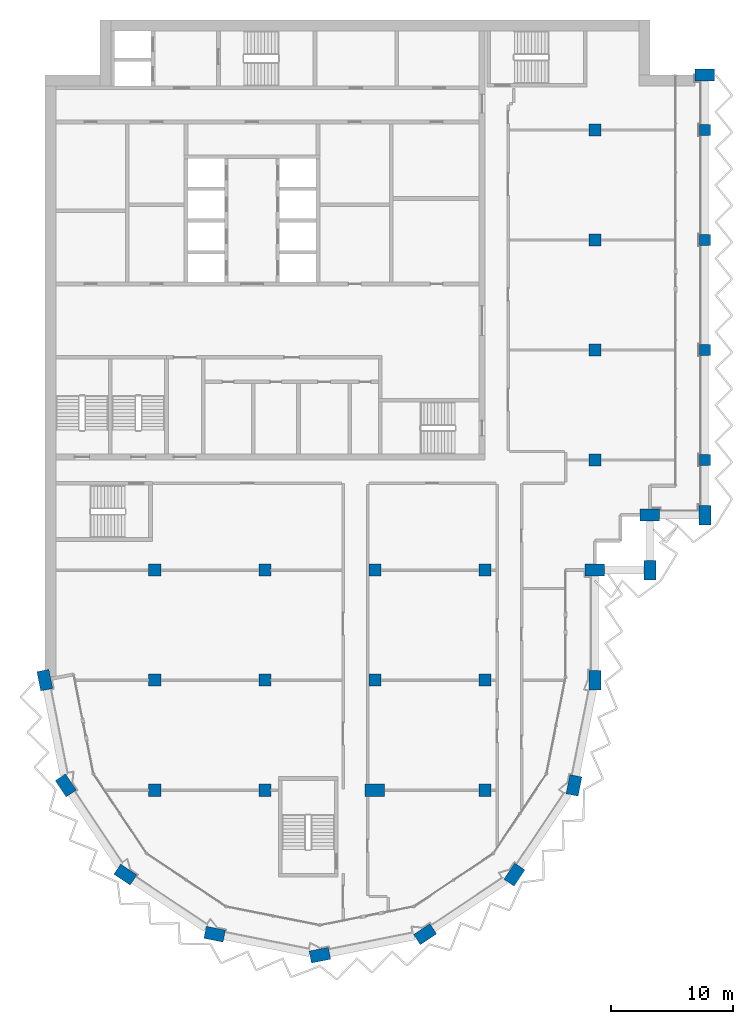
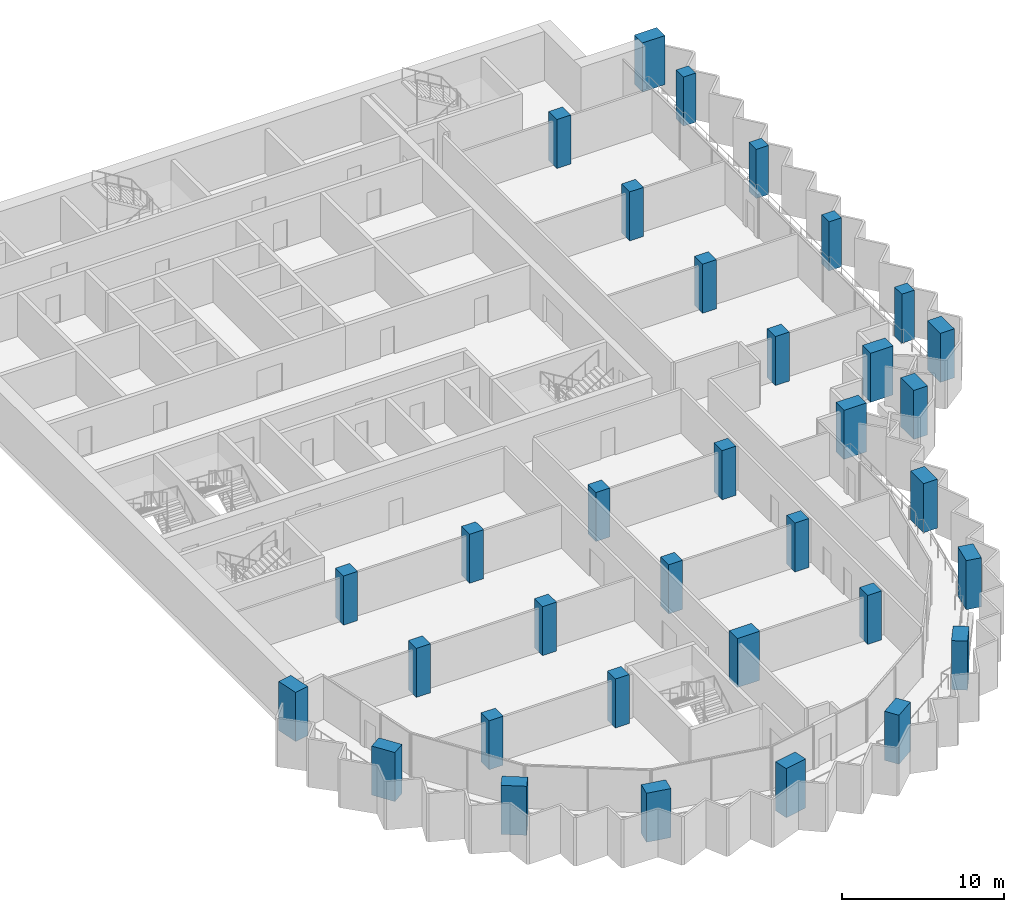
# One storey, part 1 of 16: 34 columns.
"""IFC4 building model written with IfcOpenShell, lengths in metres."""

from ifc_helpers import new_model, si_unit, direction, frame, origin, origin_2d, place, context, subcontext, project, spatial, rectangle, extrude, material, material_profile, profile_set, type_object, element, save


model = new_model("IFC4")

# Units and contexts
model_context = context("Model", 3, precision=1e-05, world=origin(), true_north=direction((0.0, 1.0)))
body_context = subcontext(model_context, "Body", "Model", "MODEL_VIEW")
ifc_project = project(units=[si_unit("LENGTHUNIT", "METRE"), si_unit("AREAUNIT", "SQUARE_METRE"), si_unit("VOLUMEUNIT", "CUBIC_METRE"), si_unit("PLANEANGLEUNIT", "RADIAN"), si_unit("MASSUNIT", "GRAM", prefix="KILO")], contexts=[model_context])

# Site, building, storey
site_placement = place(None, origin())
site = spatial("IfcSite", under=ifc_project, at=site_placement, CompositionType="ELEMENT")
building_placement = place(site_placement, origin())
building = spatial("IfcBuilding", under=site, at=building_placement, Name="Hunhe Ridgeline Campus", CompositionType="ELEMENT")
storey_placement = place(building_placement, frame((0.0, 0.0, 235.5)))
storey = spatial("IfcBuildingStorey", under=building, at=storey_placement, Name="L60", CompositionType="ELEMENT", Elevation=235.5)

# Columns
ifc_material = material(Name="Concrete C60", Category="concrete")
ifc_material_profile_1 = material_profile(ifc_material, rectangle(XDim=1.60009765625, YDim=1.0, at=origin_2d()))
ifc_profile_set_1 = profile_set([ifc_material_profile_1], Name="Concrete C60")
column_type_1 = type_object("IfcColumnType", Name="Megacolumn 1600x1000 Concrete C60", PredefinedType="COLUMN", material=ifc_profile_set_1)
for number, where, z_axis, x_axis, name in (
    (1, (22.5, 22.5, 0.0), (0.0, 0.0, 1.0), (0.980785280403, 0.195090322016, 0.0), "Column C14 R13 L60"),
    (2, (13.8896484375, 24.212646484375, 0.0), (0.0, 0.0, 1.0), (-0.980785280403, 0.195090322016, 0.0), "Column C14 R14 L60"),
    (3, (31.1103515625, 24.212646484375, 0.0), (0.0, 0.0, 1.0), (0.831469612303, 0.55557023302, 0.0), "Column C14 R15 L60"),
    (4, (6.590087890625, 29.090087890625, 0.0), (0.0, 0.0, 1.0), (-0.831469612303, 0.55557023302, 0.0), "Column C14 R18 L60"),
    (5, (38.409912109375, 29.090087890625, 0.0), (0.0, 0.0, 1.0), (0.55557023302, 0.831469612303, 0.0), "Column C14 R19 L60"),
    (6, (1.712646484375, 36.3896484375, 0.0), (0.0, 0.0, 1.0), (-0.55557023302, 0.831469612303, 0.0), "Column C14 R23 L60"),
    (7, (43.287353515625, 36.3896484375, 0.0), (0.0, 0.0, 1.0), (0.195090322016, 0.980785280403, 0.0), "Column C14 R24 L60"),
    (8, (0.0, 45.0, 0.0), (0.0, 0.0, 1.0), (-0.195090322016, 0.980785280403, 0.0), "Column C14 F1 L60"),
    (9, (45.0, 45.0, 0.0), (0.0, 0.0, 1.0), (0.0, 1.0, 0.0), "Column C14 F6 L60"),
    (10, (45.0, 54.0, 0.0), (0.0, 0.0, 1.0), (1.0, 0.0, 0.0), "Column C14 G6 L60"),
    (11, (49.5, 54.0, 0.0), (0.0, 0.0, 1.0), (0.0, 1.0, 0.0), "Column C14 R29 L60"),
    (12, (49.5, 58.5, 0.0), (0.0, 0.0, 1.0), (1.0, 0.0, 0.0), "Column C14 R33 L60"),
    (13, (54.0, 58.5, 0.0), (0.0, 0.0, 1.0), (0.0, 1.0, 0.0), "Column C14 R34 L60"),
    (14, (54.0, 94.5, 0.0), (0.0, 0.0, 1.0), (1.0, 0.0, 0.0), "Column C14 R41 L60"),
    (15, (27.0, 36.0, 0.0), (0.0, 0.0, 1.0), (1.0, 0.0, 0.0), "Column C14 E4 L60"),
):
    element("IfcColumn", number, at=place(storey_placement, frame(where, z_axis=z_axis, x_axis=x_axis)), inside=storey, type_object=column_type_1, Name=name, PredefinedType="COLUMN", context=body_context, shape_type="SweptSolid", body=[
        extrude(rectangle(XDim=1.60009765625, YDim=1.0, at=origin_2d()), origin(), (0.0, 0.0, 1.0), 3.699951171875),
    ])
ifc_material_profile_2 = material_profile(ifc_material, rectangle(XDim=1.0, YDim=1.0, at=origin_2d()))
ifc_profile_set_2 = profile_set([ifc_material_profile_2], Name="Concrete C60")
column_type_2 = type_object("IfcColumnType", Name="RC column 1000x1000 Concrete C60", PredefinedType="COLUMN", material=ifc_profile_set_2)
for number, where, z_axis, x_axis, name in (
    (16, (9.0, 36.0, 0.0), (0.0, 0.0, 1.0), (1.0, 0.0, 0.0), "Column C12 E2 L60"),
    (17, (9.0, 45.0, 0.0), (0.0, 0.0, 1.0), (1.0, 0.0, 0.0), "Column C12 F2 L60"),
    (18, (9.0, 54.0, 0.0), (0.0, 0.0, 1.0), (1.0, 0.0, 0.0), "Column C12 G2 L60"),
    (19, (18.0, 36.0, 0.0), (0.0, 0.0, 1.0), (1.0, 0.0, 0.0), "Column C12 E3 L60"),
    (20, (18.0, 45.0, 0.0), (0.0, 0.0, 1.0), (1.0, 0.0, 0.0), "Column C12 F3 L60"),
    (21, (18.0, 54.0, 0.0), (0.0, 0.0, 1.0), (1.0, 0.0, 0.0), "Column C12 G3 L60"),
    (22, (27.0, 45.0, 0.0), (0.0, 0.0, 1.0), (1.0, 0.0, 0.0), "Column C12 F4 L60"),
    (23, (27.0, 54.0, 0.0), (0.0, 0.0, 1.0), (1.0, 0.0, 0.0), "Column C12 G4 L60"),
    (24, (36.0, 36.0, 0.0), (0.0, 0.0, 1.0), (1.0, 0.0, 0.0), "Column C12 E5 L60"),
    (25, (36.0, 45.0, 0.0), (0.0, 0.0, 1.0), (1.0, 0.0, 0.0), "Column C12 F5 L60"),
    (26, (36.0, 54.0, 0.0), (0.0, 0.0, 1.0), (1.0, 0.0, 0.0), "Column C12 G5 L60"),
    (27, (45.0, 63.0, 0.0), (0.0, 0.0, 1.0), (1.0, 0.0, 0.0), "Column C12 H6 L60"),
    (28, (45.0, 72.0, 0.0), (0.0, 0.0, 1.0), (1.0, 0.0, 0.0), "Column C12 I6 L60"),
    (29, (45.0, 81.0, 0.0), (0.0, 0.0, 1.0), (1.0, 0.0, 0.0), "Column C12 J6 L60"),
    (30, (45.0, 90.0, 0.0), (0.0, 0.0, 1.0), (1.0, 0.0, 0.0), "Column C12 K6 L60"),
):
    element("IfcColumn", number, at=place(storey_placement, frame(where, z_axis=z_axis, x_axis=x_axis)), inside=storey, type_object=column_type_2, Name=name, PredefinedType="COLUMN", context=body_context, shape_type="SweptSolid", body=[
        extrude(rectangle(XDim=1.0, YDim=1.0, at=origin_2d()), origin(), (0.0, 0.0, 1.0), 3.699951171875),
    ])
ifc_material_profile_3 = material_profile(ifc_material, rectangle(XDim=0.89990234375, YDim=0.89990234375, at=origin_2d()))
ifc_profile_set_3 = profile_set([ifc_material_profile_3], Name="Concrete C60")
column_type_3 = type_object("IfcColumnType", Name="RC column 900x900 Concrete C60", PredefinedType="COLUMN", material=ifc_profile_set_3)
for number, where, z_axis, x_axis, name in (
    (31, (54.0, 63.0, 0.0), (0.0, 0.0, 1.0), (1.0, 0.0, 0.0), "Column C15 H7 L60"),
    (32, (54.0, 72.0, 0.0), (0.0, 0.0, 1.0), (1.0, 0.0, 0.0), "Column C15 I7 L60"),
    (33, (54.0, 81.0, 0.0), (0.0, 0.0, 1.0), (1.0, 0.0, 0.0), "Column C15 J7 L60"),
    (34, (54.0, 90.0, 0.0), (0.0, 0.0, 1.0), (1.0, 0.0, 0.0), "Column C15 K7 L60"),
):
    element("IfcColumn", number, at=place(storey_placement, frame(where, z_axis=z_axis, x_axis=x_axis)), inside=storey, type_object=column_type_3, Name=name, PredefinedType="COLUMN", context=body_context, shape_type="SweptSolid", body=[
        extrude(rectangle(XDim=0.89990234375, YDim=0.89990234375, at=origin_2d()), origin(), (0.0, 0.0, 1.0), 3.699951171875),
    ])

save(model, "model.ifc")
